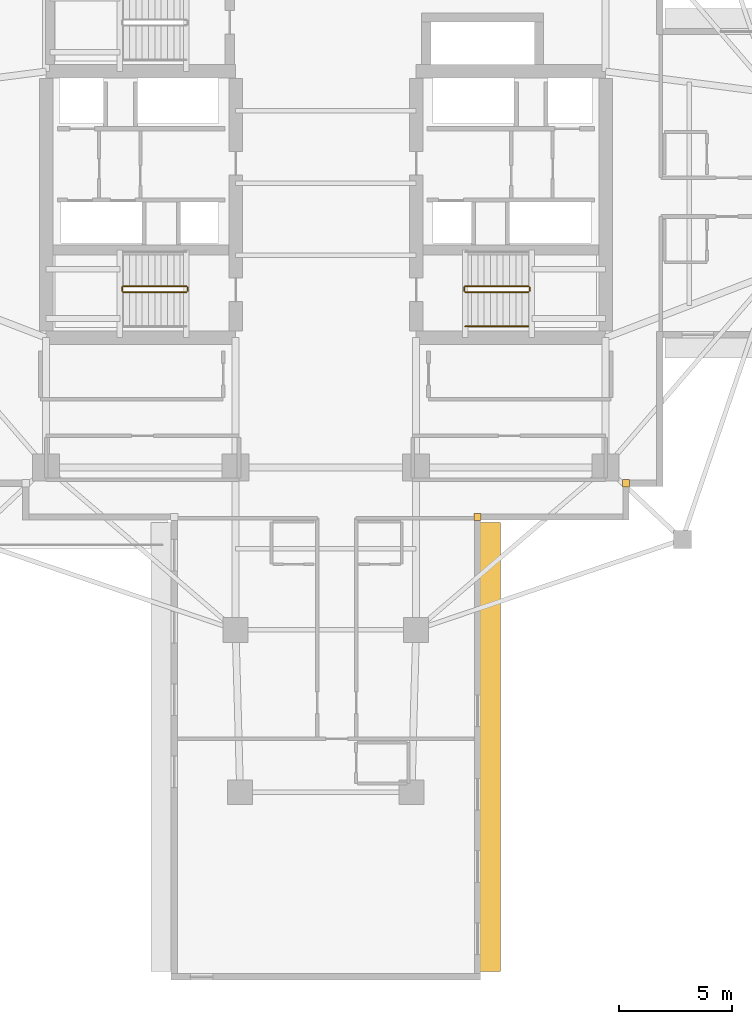
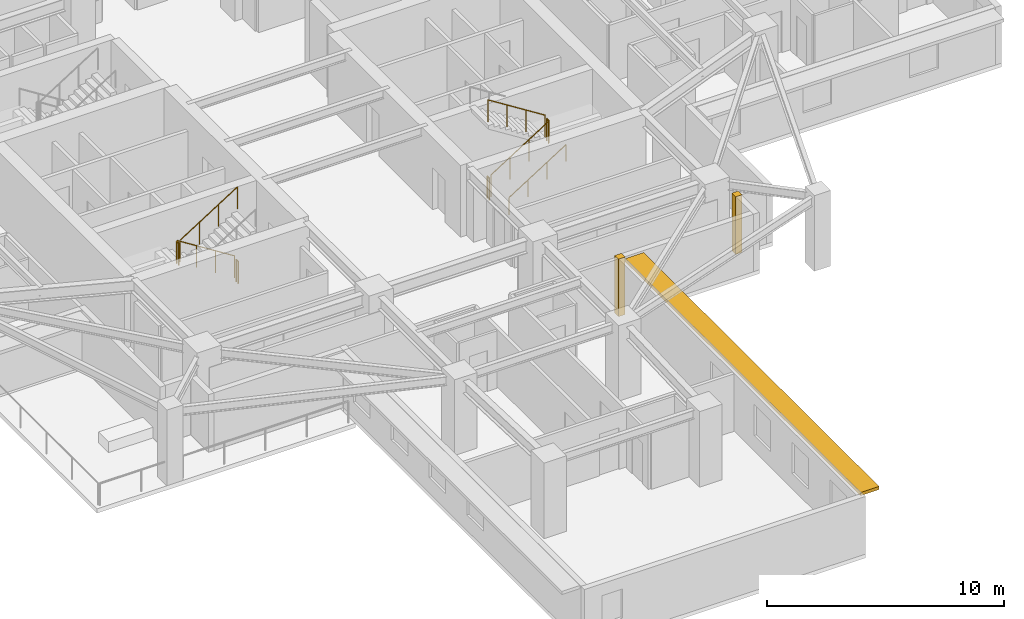
# One storey, part 10 of 13: 9 railings, 2 coverings, 1 shading device.
"""IFC4 building model written with IfcOpenShell, lengths in metres."""

import ifcopenshell
import ifcopenshell.guid

model = None  # the IFC model being written
_history = None  # IfcOwnerHistory: only IFC2X3 demands one
_inside = {}  # id of a spatial element -> (the spatial element, [elements in it])
_under = {}  # id of a project, library or spatial element -> (it, [spatial elements below it])
_declared = {}  # id of a project -> (the project, [libraries it declares])
_typed = {}  # id of a type object -> (the type object, [elements of that type])
_made_of = {}  # id of a material, layer set ... -> (it, [elements and type objects made of it])


def new_model(schema):
    """Start an empty IFC model of exactly this schema.

    Asked for "IFC4X3", IfcOpenShell would pick the latest addendum, in which some entities
    have other attributes; the version numbers below select the first issue.
    IFC2X3 requires an IfcOwnerHistory on every rooted entity: one is made here for all.
    """
    global model, _history
    if schema == "IFC4X3":
        model = ifcopenshell.file(schema_version=(4, 3, 0, 0))
    else:
        model = ifcopenshell.file(schema=schema)
    _inside.clear()
    _under.clear()
    _declared.clear()
    _typed.clear()
    _made_of.clear()
    _history = None
    if model.schema == "IFC2X3":
        org = make("IfcOrganization", Name="unknown")
        user = make(
            "IfcPersonAndOrganization",
            ThePerson=make("IfcPerson", FamilyName="unknown"),
            TheOrganization=org,
        )
        app = make(
            "IfcApplication",
            ApplicationDeveloper=org,
            Version="unknown",
            ApplicationFullName="unknown",
            ApplicationIdentifier="unknown",
        )
        _history = make(
            "IfcOwnerHistory",
            OwningUser=user,
            OwningApplication=app,
            ChangeAction="ADDED",
            CreationDate=0,
        )
    return model


def make(cls, **values):
    """One entity of the class cls with the attributes given. An attribute that is None is left unset."""
    return model.create_entity(
        cls, **{name: value for name, value in values.items() if value is not None}
    )


def rooted(cls, **values):
    """An entity with a GlobalId (a new one), such as an element, a storey or a relation."""
    return make(cls, GlobalId=ifcopenshell.guid.new(), OwnerHistory=_history, **values)


def si_unit(unit_type, name, prefix=None):
    """IfcSIUnit, for example si_unit("LENGTHUNIT", "METRE", prefix="MILLI")."""
    return make("IfcSIUnit", UnitType=unit_type, Prefix=prefix, Name=name)


def assignment(units):
    """IfcUnitAssignment: the units of a project."""
    return None if units is None else make("IfcUnitAssignment", Units=units)


def point(xyz):
    """IfcCartesianPoint."""
    return None if xyz is None else make("IfcCartesianPoint", Coordinates=xyz)


def direction(xyz):
    """IfcDirection."""
    return None if xyz is None else make("IfcDirection", DirectionRatios=xyz)


def frame(location, z_axis=None, x_axis=None):
    """IfcAxis2Placement3D, a coordinate frame: its origin and axes. An axis left out is left unset."""
    return make(
        "IfcAxis2Placement3D",
        Location=point(location),
        Axis=direction(z_axis),
        RefDirection=direction(x_axis),
    )


def frame_2d(location, x_axis=None):
    """IfcAxis2Placement2D, a coordinate frame in the plane: its origin and x axis."""
    return make(
        "IfcAxis2Placement2D", Location=point(location), RefDirection=direction(x_axis)
    )


def origin():
    """The frame at (0, 0, 0) with its axes left unset."""
    return frame((0.0, 0.0, 0.0))


def origin_2d():
    """The frame at (0, 0) in the plane with its x axis left unset."""
    return frame_2d((0.0, 0.0))


def place(relative_to, where):
    """IfcLocalPlacement: puts the frame where relative to a parent placement (None: the world)."""
    return make(
        "IfcLocalPlacement", PlacementRelTo=relative_to, RelativePlacement=where
    )


def context(
    kind, dimensions, precision=None, world=None, true_north=None, identifier=None
):
    """IfcGeometricRepresentationContext, for example the 3D "Model" context."""
    return make(
        "IfcGeometricRepresentationContext",
        ContextIdentifier=identifier,
        ContextType=kind,
        CoordinateSpaceDimension=dimensions,
        Precision=precision,
        WorldCoordinateSystem=world,
        TrueNorth=true_north,
    )


def subcontext(parent, identifier, kind, view, scale=None):
    """IfcGeometricRepresentationSubContext, for example "Body" below "Model"."""
    return make(
        "IfcGeometricRepresentationSubContext",
        ContextIdentifier=identifier,
        ContextType=kind,
        ParentContext=parent,
        TargetScale=scale,
        TargetView=view,
    )


def project(units=None, contexts=None):
    """IfcProject with its units and contexts."""
    return rooted(
        "IfcProject",
        Name="project",
        RepresentationContexts=contexts,
        UnitsInContext=assignment(units),
    )


def spatial(cls, under=None, at=None, **own):
    """A site, building, storey or space (cls), placed at a placement, below another one or the project."""
    s = rooted(cls, ObjectPlacement=at, **own)
    if under is not None:
        _under.setdefault(under.id(), (under, []))[1].append(s)
    return s


def profile(cls, at=None, kind="AREA", **sizes):
    """A parametric profile (cls). Its sizes go by their IFC names, for example OverallWidth=200.0."""
    return make(cls, ProfileType=kind, Position=at, **sizes)


def rectangle(**sizes):
    """IfcRectangleProfileDef."""
    return profile("IfcRectangleProfileDef", **sizes)


def circle(**sizes):
    """IfcCircleProfileDef."""
    return profile("IfcCircleProfileDef", **sizes)


def extrude(swept, where, along, depth):
    """IfcExtrudedAreaSolid: the profile swept, set in the frame where, extruded along a direction by depth."""
    return make(
        "IfcExtrudedAreaSolid",
        SweptArea=swept,
        Position=where,
        ExtrudedDirection=direction(along),
        Depth=depth,
    )


def shape(context_of_items, identifier, shape_type, items):
    """IfcShapeRepresentation: the items that make up one representation, for example the "Body"."""
    return make(
        "IfcShapeRepresentation",
        ContextOfItems=context_of_items,
        RepresentationIdentifier=identifier,
        RepresentationType=shape_type,
        Items=items,
    )


def material(Name=None, Category=None):
    """IfcMaterial."""
    return make("IfcMaterial", Name=Name, Category=Category)


def layer(
    of_material, thickness, ventilated=None, Name=None, Category=None, Priority=None
):
    """IfcMaterialLayer: one layer of a wall or slab, of a material (None: an air gap)."""
    return make(
        "IfcMaterialLayer",
        Material=of_material,
        LayerThickness=thickness,
        IsVentilated=ventilated,
        Name=Name,
        Category=Category,
        Priority=Priority,
    )


def layer_set(layers, Name=None):
    """IfcMaterialLayerSet."""
    return make("IfcMaterialLayerSet", MaterialLayers=layers, LayerSetName=Name)


def made_of(thing, what):
    """Note that an element or type object is made of a material, layer set ...; save() writes the relation."""
    if what is not None:
        _made_of.setdefault(what.id(), (what, []))[1].append(thing)
    return thing


def type_object(cls, material=None, **own):
    """A type object (cls), such as IfcWallType, which elements share."""
    return made_of(rooted(cls, **own), material)


def element(
    cls,
    number,
    at=None,
    inside=None,
    cuts=None,
    type_object=None,
    material=None,
    context=None,
    identifier="Body",
    shape_type=None,
    held_by="IfcProductDefinitionShape",
    body=None,
    shapes=None,
    **own,
):
    """One element of the class cls, such as IfcWall. Its Tag is "e" and its number.

    at: its placement. inside: the storey or other place that contains it. cuts: it is an
    opening in that element (IfcRelVoidsElement). A single representation is given by context,
    identifier, shape_type and body (its items); several are given by shapes. held_by: the class
    of the entity that holds the representations. save() writes the other relations.
    """
    e = rooted(cls, Tag="e%d" % number, ObjectPlacement=at, **own)
    if body is not None:
        shapes = [shape(context, identifier, shape_type, body)]
    if shapes is not None:
        e.Representation = make(held_by, Representations=shapes)
    if inside is not None:
        _inside.setdefault(inside.id(), (inside, []))[1].append(e)
    if cuts is not None:
        rooted(
            "IfcRelVoidsElement", RelatingBuildingElement=cuts, RelatedOpeningElement=e
        )
    if type_object is not None:
        _typed.setdefault(type_object.id(), (type_object, []))[1].append(e)
    return made_of(e, material)


def aggregate(whole, parts):
    """IfcRelAggregates: a whole, such as a stair, and the parts it consists of."""
    return rooted("IfcRelAggregates", RelatingObject=whole, RelatedObjects=parts)


def save(model, path):
    """Write the relations noted so far, then the file.

    IfcRelAggregates (storeys below a building ...), IfcRelContainedInSpatialStructure (elements
    in a storey), IfcRelDefinesByType, IfcRelAssociatesMaterial and IfcRelDeclares: one each for
    every whole, place, type object, material and project.
    """
    for whole, parts in _under.values():
        aggregate(whole, parts)
    for where, things in _inside.values():
        rooted(
            "IfcRelContainedInSpatialStructure",
            RelatedElements=things,
            RelatingStructure=where,
        )
    for kind, things in _typed.values():
        rooted("IfcRelDefinesByType", RelatedObjects=things, RelatingType=kind)
    for what, things in _made_of.values():
        rooted("IfcRelAssociatesMaterial", RelatedObjects=things, RelatingMaterial=what)
    for by, libraries in _declared.values():
        rooted("IfcRelDeclares", RelatingContext=by, RelatedDefinitions=libraries)
    model.write(path)


model = new_model("IFC4")

# Units and contexts
model_context = context("Model", 3, precision=1e-05, world=origin(), true_north=direction((0.0, 1.0)))
body_context = subcontext(model_context, "Body", "Model", "MODEL_VIEW")
ifc_project = project(units=[si_unit("LENGTHUNIT", "METRE"), si_unit("AREAUNIT", "SQUARE_METRE"), si_unit("VOLUMEUNIT", "CUBIC_METRE"), si_unit("PLANEANGLEUNIT", "RADIAN"), si_unit("MASSUNIT", "GRAM", prefix="KILO")], contexts=[model_context])

# Site, building, storey
site_placement = place(None, origin())
site = spatial("IfcSite", under=ifc_project, at=site_placement, CompositionType="ELEMENT")
building_placement = place(site_placement, origin())
building = spatial("IfcBuilding", under=site, at=building_placement, Name="Qingluan Cross Belvedere", CompositionType="ELEMENT")
storey_placement = place(building_placement, frame((0.0, 0.0, 104.699951171875)))
storey = spatial("IfcBuildingStorey", under=building, at=storey_placement, Name="L26", CompositionType="ELEMENT", Elevation=104.699951171875)

# Coverings
ifc_material_1 = material(Name="Precast concrete C45", Category="concrete")
ifc_layer_1 = layer(ifc_material_1, 0.1201171875, Name="ConcreteSpandrelCladding_120")
ifc_layer_set_1 = layer_set([ifc_layer_1], Name="Precast concrete C45")
covering_type = type_object("IfcCoveringType", Name="ConcreteSpandrelCladding_120", PredefinedType="CLADDING", material=ifc_layer_set_1)
for number, where, z_axis, x_axis, name in (
    (1, (13.300048828125, -13.300048828125, 0.0), (0.0, 0.0, 1.0), (1.0, 0.0, 0.0), "Corner closure L26-SE1"),
    (2, (6.719970703125, -14.800048828125, 0.0), (0.0, 0.0, 1.0), (1.0, 0.0, 0.0), "Corner closure L26-SE2"),
):
    element("IfcCovering", number, at=place(storey_placement, frame(where, z_axis=z_axis, x_axis=x_axis)), inside=storey, type_object=covering_type, Name=name, PredefinedType="CLADDING", context=body_context, shape_type="SweptSolid", body=[
        extrude(rectangle(XDim=0.320068359375, YDim=0.320068359375, at=origin_2d()), origin(), (0.0, 0.0, 1.0), 2.969970703125),
    ])

# Shading device
ifc_material_2 = material(Name="Precast concrete C45", Category="concrete")
ifc_layer_2 = layer(ifc_material_2, 0.159912109375, Name="ConcreteSunshadeBand_900")
ifc_layer_set_2 = layer_set([ifc_layer_2], Name="Precast concrete C45")
shading_device_type = type_object("IfcShadingDeviceType", Name="ConcreteSunshadeBand_900", PredefinedType="USERDEFINED", material=ifc_layer_set_2)
shading_device_placement = place(storey_placement, frame((7.2900390625, -24.989990234375, 2.7900390625), z_axis=(0.0, 0.0, 1.0), x_axis=(0.0, 1.0, 0.0)))
element("IfcShadingDevice", 3, at=shading_device_placement, inside=storey, type_object=shading_device_type, Name="Concrete SUNSHADE L26-SB", ObjectType="SUNSHADE", PredefinedType="USERDEFINED", context=body_context, shape_type="SweptSolid", body=[
    extrude(rectangle(XDim=19.89990234375, YDim=0.89990234375, at=origin_2d()), origin(), (0.0, 0.0, 1.0), 0.159912109375),
])

# Railings
ifc_material_3 = material(Name="Brushed stainless steel tubular handrail", Category="steel")
railing_type_1 = type_object("IfcRailingType", Name="StairPitchHandrail_900", PredefinedType="HANDRAIL", material=ifc_material_3)
railing_1_placement = place(storey_placement, frame((6.179931640625, -6.35009765625, 0.17724609375)))
element("IfcRailing", 4, at=railing_1_placement, inside=storey, type_object=railing_type_1, Name="L26 ST2 stair handrail 1", PredefinedType="HANDRAIL", context=body_context, shape_type="SweptSolid", body=[
    extrude(circle(Radius=0.02392578125, at=origin_2d()), frame((0.0, 0.0, 0.8759765625), z_axis=(0.844908973607, 0.0, 0.534910110503), x_axis=(0.0, 1.0, 0.0)), (0.0, 0.0, 1.0), 3.31396484375),
    extrude(circle(Radius=0.02099609375, at=origin_2d()), origin(), (0.0, 0.0, 1.0), 0.851806640625),
    extrude(circle(Radius=0.02099609375, at=origin_2d()), frame((0.933349609375, 0.0, 0.5908203125)), (0.0, 0.0, 1.0), 0.851806640625),
    extrude(circle(Radius=0.02099609375, at=origin_2d()), frame((1.86669921875, 0.0, 1.181884765625)), (0.0, 0.0, 1.0), 0.851806640625),
    extrude(circle(Radius=0.02099609375, at=origin_2d()), frame((2.800048828125, 0.0, 1.772705078125)), (0.0, 0.0, 1.0), 0.851806640625),
])
ifc_material_4 = material(Name="Painted steel stair well guard", Category="steel")
railing_type_2 = type_object("IfcRailingType", Name="StairWellGuard_1150", PredefinedType="BALUSTRADE", material=ifc_material_4)
railing_2_placement = place(storey_placement, frame((-6.179931640625, -4.570068359375, 0.17724609375)))
element("IfcRailing", 5, at=railing_2_placement, inside=storey, type_object=railing_type_2, Name="L26 ST1 stair guard 1", PredefinedType="BALUSTRADE", context=body_context, shape_type="SweptSolid", body=[
    extrude(circle(Radius=0.02392578125, at=origin_2d()), frame((0.0, 0.0, 1.1259765625), z_axis=(-0.844908973607, 0.0, 0.534910110503), x_axis=(0.0, -1.0, 0.0)), (0.0, 0.0, 1.0), 3.31396484375),
    extrude(circle(Radius=0.02099609375, at=origin_2d()), origin(), (0.0, 0.0, 1.0), 1.101806640625),
    extrude(circle(Radius=0.02099609375, at=origin_2d()), frame((-0.933349609375, 0.0, 0.5908203125)), (0.0, 0.0, 1.0), 1.101806640625),
    extrude(circle(Radius=0.02099609375, at=origin_2d()), frame((-1.86669921875, 0.0, 1.181884765625)), (0.0, 0.0, 1.0), 1.101806640625),
    extrude(circle(Radius=0.02099609375, at=origin_2d()), frame((-2.800048828125, 0.0, 1.772705078125)), (0.0, 0.0, 1.0), 1.101806640625),
])
railing_3_placement = place(storey_placement, frame((-9.030029296875, -4.6201171875, 1.949951171875)))
element("IfcRailing", 6, at=railing_3_placement, inside=storey, type_object=railing_type_2, Name="L26 ST1 stair guard 2", PredefinedType="BALUSTRADE", context=body_context, shape_type="SweptSolid", body=[
    extrude(circle(Radius=0.02392578125, at=origin_2d()), frame((0.0, 0.0, 1.1259765625), z_axis=(0.0, -1.0, 0.0), x_axis=(1.0, 0.0, 0.0)), (0.0, 0.0, 1.0), 0.159912109375),
    extrude(circle(Radius=0.02099609375, at=origin_2d()), origin(), (0.0, 0.0, 1.0), 1.101806640625),
    extrude(circle(Radius=0.02099609375, at=origin_2d()), frame((0.0, -0.159912109375, 0.0)), (0.0, 0.0, 1.0), 1.101806640625),
])
railing_4_placement = place(storey_placement, frame((-8.97998046875, -4.830078125, 2.12744140625)))
element("IfcRailing", 7, at=railing_4_placement, inside=storey, type_object=railing_type_2, Name="L26 ST1 stair guard 3", PredefinedType="BALUSTRADE", context=body_context, shape_type="SweptSolid", body=[
    extrude(circle(Radius=0.02392578125, at=origin_2d()), frame((0.0, 0.0, 1.1259765625), z_axis=(0.844908973607, 0.0, 0.534910110503), x_axis=(0.0, 1.0, 0.0)), (0.0, 0.0, 1.0), 3.31396484375),
    extrude(circle(Radius=0.02099609375, at=origin_2d()), origin(), (0.0, 0.0, 1.0), 1.101806640625),
    extrude(circle(Radius=0.02099609375, at=origin_2d()), frame((0.933349609375, 0.0, 0.5908203125)), (0.0, 0.0, 1.0), 1.101806640625),
    extrude(circle(Radius=0.02099609375, at=origin_2d()), frame((1.86669921875, 0.0, 1.181884765625)), (0.0, 0.0, 1.0), 1.101806640625),
    extrude(circle(Radius=0.02099609375, at=origin_2d()), frame((2.800048828125, 0.0, 1.772705078125)), (0.0, 0.0, 1.0), 1.101806640625),
])
railing_5_placement = place(storey_placement, frame((-6.1298828125, -4.6201171875, 0.0)))
element("IfcRailing", 8, at=railing_5_placement, inside=storey, type_object=railing_type_2, Name="L26 ST1 stair guard 4", PredefinedType="BALUSTRADE", context=body_context, shape_type="SweptSolid", body=[
    extrude(circle(Radius=0.02392578125, at=origin_2d()), frame((0.0, 0.0, 1.1259765625), z_axis=(0.0, -1.0, 0.0), x_axis=(1.0, 0.0, 0.0)), (0.0, 0.0, 1.0), 0.159912109375),
    extrude(circle(Radius=0.02099609375, at=origin_2d()), origin(), (0.0, 0.0, 1.0), 1.101806640625),
    extrude(circle(Radius=0.02099609375, at=origin_2d()), frame((0.0, -0.159912109375, 0.0)), (0.0, 0.0, 1.0), 1.101806640625),
])
railing_6_placement = place(storey_placement, frame((6.179931640625, -4.830078125, 0.17724609375)))
element("IfcRailing", 9, at=railing_6_placement, inside=storey, type_object=railing_type_2, Name="L26 ST2 stair guard 1", PredefinedType="BALUSTRADE", context=body_context, shape_type="SweptSolid", body=[
    extrude(circle(Radius=0.02392578125, at=origin_2d()), frame((0.0, 0.0, 1.1259765625), z_axis=(0.844908973607, 0.0, 0.534910110503), x_axis=(0.0, 1.0, 0.0)), (0.0, 0.0, 1.0), 3.31396484375),
    extrude(circle(Radius=0.02099609375, at=origin_2d()), origin(), (0.0, 0.0, 1.0), 1.101806640625),
    extrude(circle(Radius=0.02099609375, at=origin_2d()), frame((0.933349609375, 0.0, 0.5908203125)), (0.0, 0.0, 1.0), 1.101806640625),
    extrude(circle(Radius=0.02099609375, at=origin_2d()), frame((1.86669921875, 0.0, 1.181884765625)), (0.0, 0.0, 1.0), 1.101806640625),
    extrude(circle(Radius=0.02099609375, at=origin_2d()), frame((2.800048828125, 0.0, 1.772705078125)), (0.0, 0.0, 1.0), 1.101806640625),
])
railing_7_placement = place(storey_placement, frame((9.030029296875, -4.780029296875, 1.949951171875)))
element("IfcRailing", 10, at=railing_7_placement, inside=storey, type_object=railing_type_2, Name="L26 ST2 stair guard 2", PredefinedType="BALUSTRADE", context=body_context, shape_type="SweptSolid", body=[
    extrude(circle(Radius=0.02392578125, at=origin_2d()), frame((0.0, 0.0, 1.1259765625), z_axis=(0.0, 1.0, 0.0), x_axis=(-1.0, 0.0, 0.0)), (0.0, 0.0, 1.0), 0.159912109375),
    extrude(circle(Radius=0.02099609375, at=origin_2d()), origin(), (0.0, 0.0, 1.0), 1.101806640625),
    extrude(circle(Radius=0.02099609375, at=origin_2d()), frame((0.0, 0.159912109375, 0.0)), (0.0, 0.0, 1.0), 1.101806640625),
])
railing_8_placement = place(storey_placement, frame((8.97998046875, -4.570068359375, 2.12744140625)))
element("IfcRailing", 11, at=railing_8_placement, inside=storey, type_object=railing_type_2, Name="L26 ST2 stair guard 3", PredefinedType="BALUSTRADE", context=body_context, shape_type="SweptSolid", body=[
    extrude(circle(Radius=0.02392578125, at=origin_2d()), frame((0.0, 0.0, 1.1259765625), z_axis=(-0.844908973607, 0.0, 0.534910110503), x_axis=(0.0, -1.0, 0.0)), (0.0, 0.0, 1.0), 3.31396484375),
    extrude(circle(Radius=0.02099609375, at=origin_2d()), origin(), (0.0, 0.0, 1.0), 1.101806640625),
    extrude(circle(Radius=0.02099609375, at=origin_2d()), frame((-0.933349609375, 0.0, 0.5908203125)), (0.0, 0.0, 1.0), 1.101806640625),
    extrude(circle(Radius=0.02099609375, at=origin_2d()), frame((-1.86669921875, 0.0, 1.181884765625)), (0.0, 0.0, 1.0), 1.101806640625),
    extrude(circle(Radius=0.02099609375, at=origin_2d()), frame((-2.800048828125, 0.0, 1.772705078125)), (0.0, 0.0, 1.0), 1.101806640625),
])
railing_9_placement = place(storey_placement, frame((6.1298828125, -4.780029296875, 0.0)))
element("IfcRailing", 12, at=railing_9_placement, inside=storey, type_object=railing_type_2, Name="L26 ST2 stair guard 4", PredefinedType="BALUSTRADE", context=body_context, shape_type="SweptSolid", body=[
    extrude(circle(Radius=0.02392578125, at=origin_2d()), frame((0.0, 0.0, 1.1259765625), z_axis=(0.0, 1.0, 0.0), x_axis=(-1.0, 0.0, 0.0)), (0.0, 0.0, 1.0), 0.159912109375),
    extrude(circle(Radius=0.02099609375, at=origin_2d()), origin(), (0.0, 0.0, 1.0), 1.101806640625),
    extrude(circle(Radius=0.02099609375, at=origin_2d()), frame((0.0, 0.159912109375, 0.0)), (0.0, 0.0, 1.0), 1.101806640625),
])

save(model, "model.ifc")
